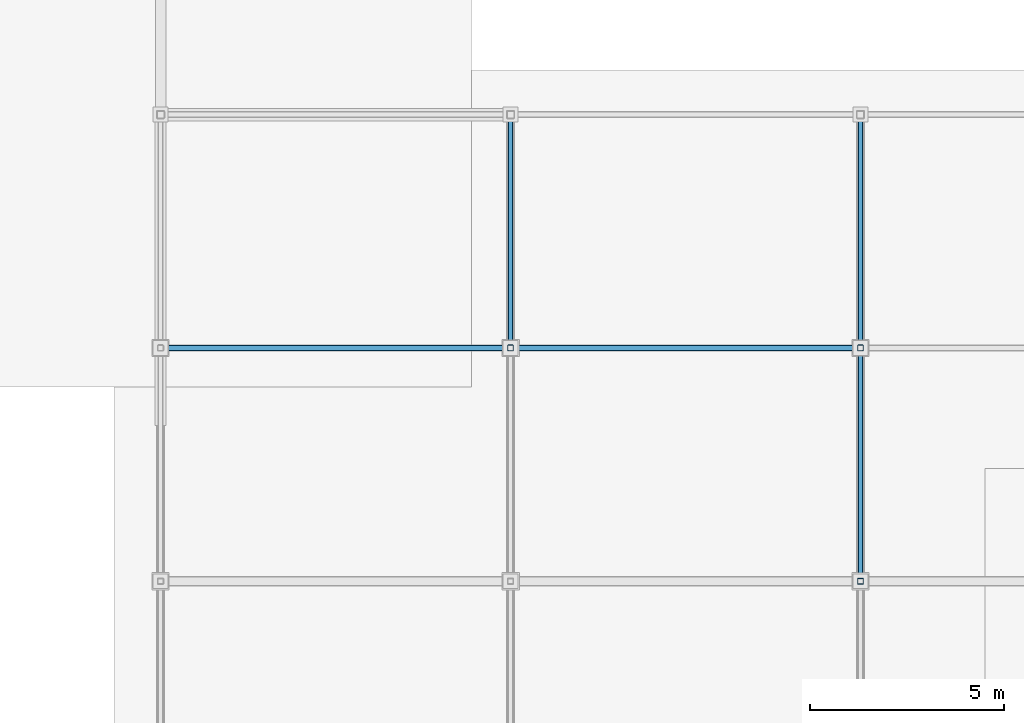
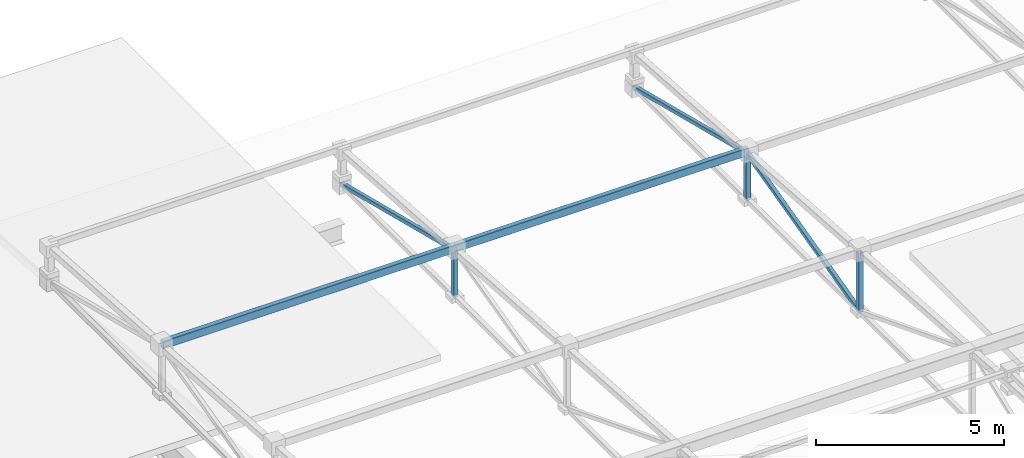
# One storey, part 42 of 85: 8 members.
"""IFC4 building model written with IfcOpenShell, lengths in metres."""

import ifcopenshell
import ifcopenshell.guid

model = None  # the IFC model being written
_history = None  # IfcOwnerHistory: only IFC2X3 demands one
_inside = {}  # id of a spatial element -> (the spatial element, [elements in it])
_under = {}  # id of a project, library or spatial element -> (it, [spatial elements below it])
_declared = {}  # id of a project -> (the project, [libraries it declares])
_typed = {}  # id of a type object -> (the type object, [elements of that type])
_made_of = {}  # id of a material, layer set ... -> (it, [elements and type objects made of it])


def new_model(schema):
    """Start an empty IFC model of exactly this schema.

    Asked for "IFC4X3", IfcOpenShell would pick the latest addendum, in which some entities
    have other attributes; the version numbers below select the first issue.
    IFC2X3 requires an IfcOwnerHistory on every rooted entity: one is made here for all.
    """
    global model, _history
    if schema == "IFC4X3":
        model = ifcopenshell.file(schema_version=(4, 3, 0, 0))
    else:
        model = ifcopenshell.file(schema=schema)
    _inside.clear()
    _under.clear()
    _declared.clear()
    _typed.clear()
    _made_of.clear()
    _history = None
    if model.schema == "IFC2X3":
        org = make("IfcOrganization", Name="unknown")
        user = make(
            "IfcPersonAndOrganization",
            ThePerson=make("IfcPerson", FamilyName="unknown"),
            TheOrganization=org,
        )
        app = make(
            "IfcApplication",
            ApplicationDeveloper=org,
            Version="unknown",
            ApplicationFullName="unknown",
            ApplicationIdentifier="unknown",
        )
        _history = make(
            "IfcOwnerHistory",
            OwningUser=user,
            OwningApplication=app,
            ChangeAction="ADDED",
            CreationDate=0,
        )
    return model


def make(cls, **values):
    """One entity of the class cls with the attributes given. An attribute that is None is left unset."""
    return model.create_entity(
        cls, **{name: value for name, value in values.items() if value is not None}
    )


def rooted(cls, **values):
    """An entity with a GlobalId (a new one), such as an element, a storey or a relation."""
    return make(cls, GlobalId=ifcopenshell.guid.new(), OwnerHistory=_history, **values)


def si_unit(unit_type, name, prefix=None):
    """IfcSIUnit, for example si_unit("LENGTHUNIT", "METRE", prefix="MILLI")."""
    return make("IfcSIUnit", UnitType=unit_type, Prefix=prefix, Name=name)


def assignment(units):
    """IfcUnitAssignment: the units of a project."""
    return None if units is None else make("IfcUnitAssignment", Units=units)


def point(xyz):
    """IfcCartesianPoint."""
    return None if xyz is None else make("IfcCartesianPoint", Coordinates=xyz)


def direction(xyz):
    """IfcDirection."""
    return None if xyz is None else make("IfcDirection", DirectionRatios=xyz)


def frame(location, z_axis=None, x_axis=None):
    """IfcAxis2Placement3D, a coordinate frame: its origin and axes. An axis left out is left unset."""
    return make(
        "IfcAxis2Placement3D",
        Location=point(location),
        Axis=direction(z_axis),
        RefDirection=direction(x_axis),
    )


def frame_2d(location, x_axis=None):
    """IfcAxis2Placement2D, a coordinate frame in the plane: its origin and x axis."""
    return make(
        "IfcAxis2Placement2D", Location=point(location), RefDirection=direction(x_axis)
    )


def origin():
    """The frame at (0, 0, 0) with its axes left unset."""
    return frame((0.0, 0.0, 0.0))


def origin_2d():
    """The frame at (0, 0) in the plane with its x axis left unset."""
    return frame_2d((0.0, 0.0))


def place(relative_to, where):
    """IfcLocalPlacement: puts the frame where relative to a parent placement (None: the world)."""
    return make(
        "IfcLocalPlacement", PlacementRelTo=relative_to, RelativePlacement=where
    )


def context(
    kind, dimensions, precision=None, world=None, true_north=None, identifier=None
):
    """IfcGeometricRepresentationContext, for example the 3D "Model" context."""
    return make(
        "IfcGeometricRepresentationContext",
        ContextIdentifier=identifier,
        ContextType=kind,
        CoordinateSpaceDimension=dimensions,
        Precision=precision,
        WorldCoordinateSystem=world,
        TrueNorth=true_north,
    )


def subcontext(parent, identifier, kind, view, scale=None):
    """IfcGeometricRepresentationSubContext, for example "Body" below "Model"."""
    return make(
        "IfcGeometricRepresentationSubContext",
        ContextIdentifier=identifier,
        ContextType=kind,
        ParentContext=parent,
        TargetScale=scale,
        TargetView=view,
    )


def project(units=None, contexts=None):
    """IfcProject with its units and contexts."""
    return rooted(
        "IfcProject",
        Name="project",
        RepresentationContexts=contexts,
        UnitsInContext=assignment(units),
    )


def spatial(cls, under=None, at=None, **own):
    """A site, building, storey or space (cls), placed at a placement, below another one or the project."""
    s = rooted(cls, ObjectPlacement=at, **own)
    if under is not None:
        _under.setdefault(under.id(), (under, []))[1].append(s)
    return s


def profile(cls, at=None, kind="AREA", **sizes):
    """A parametric profile (cls). Its sizes go by their IFC names, for example OverallWidth=200.0."""
    return make(cls, ProfileType=kind, Position=at, **sizes)


def hollow_rectangle(**sizes):
    """IfcRectangleHollowProfileDef."""
    return profile("IfcRectangleHollowProfileDef", **sizes)


def extrude(swept, where, along, depth):
    """IfcExtrudedAreaSolid: the profile swept, set in the frame where, extruded along a direction by depth."""
    return make(
        "IfcExtrudedAreaSolid",
        SweptArea=swept,
        Position=where,
        ExtrudedDirection=direction(along),
        Depth=depth,
    )


def shape(context_of_items, identifier, shape_type, items):
    """IfcShapeRepresentation: the items that make up one representation, for example the "Body"."""
    return make(
        "IfcShapeRepresentation",
        ContextOfItems=context_of_items,
        RepresentationIdentifier=identifier,
        RepresentationType=shape_type,
        Items=items,
    )


def material(Name=None, Category=None):
    """IfcMaterial."""
    return make("IfcMaterial", Name=Name, Category=Category)


def material_profile(
    of_material, cross_section, Name=None, Category=None, Priority=None
):
    """IfcMaterialProfile: a cross section and its material."""
    return make(
        "IfcMaterialProfile",
        Name=Name,
        Material=of_material,
        Profile=cross_section,
        Priority=Priority,
        Category=Category,
    )


def profile_set(profiles, Name=None, composite=None):
    """IfcMaterialProfileSet."""
    return make(
        "IfcMaterialProfileSet",
        Name=Name,
        MaterialProfiles=profiles,
        CompositeProfile=composite,
    )


def made_of(thing, what):
    """Note that an element or type object is made of a material, layer set ...; save() writes the relation."""
    if what is not None:
        _made_of.setdefault(what.id(), (what, []))[1].append(thing)
    return thing


def type_object(cls, material=None, **own):
    """A type object (cls), such as IfcWallType, which elements share."""
    return made_of(rooted(cls, **own), material)


def element(
    cls,
    number,
    at=None,
    inside=None,
    cuts=None,
    type_object=None,
    material=None,
    context=None,
    identifier="Body",
    shape_type=None,
    held_by="IfcProductDefinitionShape",
    body=None,
    shapes=None,
    **own,
):
    """One element of the class cls, such as IfcWall. Its Tag is "e" and its number.

    at: its placement. inside: the storey or other place that contains it. cuts: it is an
    opening in that element (IfcRelVoidsElement). A single representation is given by context,
    identifier, shape_type and body (its items); several are given by shapes. held_by: the class
    of the entity that holds the representations. save() writes the other relations.
    """
    e = rooted(cls, Tag="e%d" % number, ObjectPlacement=at, **own)
    if body is not None:
        shapes = [shape(context, identifier, shape_type, body)]
    if shapes is not None:
        e.Representation = make(held_by, Representations=shapes)
    if inside is not None:
        _inside.setdefault(inside.id(), (inside, []))[1].append(e)
    if cuts is not None:
        rooted(
            "IfcRelVoidsElement", RelatingBuildingElement=cuts, RelatedOpeningElement=e
        )
    if type_object is not None:
        _typed.setdefault(type_object.id(), (type_object, []))[1].append(e)
    return made_of(e, material)


def aggregate(whole, parts):
    """IfcRelAggregates: a whole, such as a stair, and the parts it consists of."""
    return rooted("IfcRelAggregates", RelatingObject=whole, RelatedObjects=parts)


def save(model, path):
    """Write the relations noted so far, then the file.

    IfcRelAggregates (storeys below a building ...), IfcRelContainedInSpatialStructure (elements
    in a storey), IfcRelDefinesByType, IfcRelAssociatesMaterial and IfcRelDeclares: one each for
    every whole, place, type object, material and project.
    """
    for whole, parts in _under.values():
        aggregate(whole, parts)
    for where, things in _inside.values():
        rooted(
            "IfcRelContainedInSpatialStructure",
            RelatedElements=things,
            RelatingStructure=where,
        )
    for kind, things in _typed.values():
        rooted("IfcRelDefinesByType", RelatedObjects=things, RelatingType=kind)
    for what, things in _made_of.values():
        rooted("IfcRelAssociatesMaterial", RelatedObjects=things, RelatingMaterial=what)
    for by, libraries in _declared.values():
        rooted("IfcRelDeclares", RelatingContext=by, RelatedDefinitions=libraries)
    model.write(path)


model = new_model("IFC4")

# Units and contexts
model_context = context("Model", 3, precision=1e-05, world=origin(), true_north=direction((0.0, 1.0)))
body_context = subcontext(model_context, "Body", "Model", "MODEL_VIEW")
ifc_project = project(units=[si_unit("LENGTHUNIT", "METRE"), si_unit("AREAUNIT", "SQUARE_METRE"), si_unit("VOLUMEUNIT", "CUBIC_METRE"), si_unit("PLANEANGLEUNIT", "RADIAN"), si_unit("MASSUNIT", "GRAM", prefix="KILO"), si_unit("THERMODYNAMICTEMPERATUREUNIT", "KELVIN"), si_unit("POWERUNIT", "WATT")], contexts=[model_context])

# Site, building, storey
site_placement = place(None, origin())
site = spatial("IfcSite", under=ifc_project, at=site_placement, CompositionType="ELEMENT")
building_placement = place(site_placement, origin())
building = spatial("IfcBuilding", under=site, at=building_placement, Name="Zelmaris Science Centre", CompositionType="ELEMENT")
storey_placement = place(building_placement, frame((0.0, 0.0, 20.39990234375)))
storey = spatial("IfcBuildingStorey", under=building, at=storey_placement, Name="L04", CompositionType="ELEMENT", Elevation=20.39990234375)

# Members
ifc_material = material(Name="Steel ASTM A500 Grade C", Category="steel")
ifc_material_profile_1 = material_profile(ifc_material, hollow_rectangle(XDim=0.15234375, YDim=0.25390625, WallThickness=0.0087890625, InnerFilletRadius=0.0087890625, OuterFilletRadius=0.017822265625, at=origin_2d()), Name="HSS254X152X10")
ifc_profile_set_1 = profile_set([ifc_material_profile_1], Name="Steel ASTM A500 Grade C")
member_type_1 = type_object("IfcMemberType", Name="Roof Purlin PR-01 HSS254X152X10", PredefinedType="PURLIN", material=ifc_profile_set_1)
for number, where, z_axis, x_axis, name in (
    (1, (108.0, 50.0, 2.530029296875), (1.0, 0.0, 0.0), (0.0, 1.0, 0.0), "RF-V4 Roof purlin 7"),
    (2, (117.0, 50.0, 2.530029296875), (1.0, 0.0, 0.0), (0.0, 1.0, 0.0), "RF-V4 Roof purlin 15"),
):
    element("IfcMember", number, at=place(storey_placement, frame(where, z_axis=z_axis, x_axis=x_axis)), inside=storey, type_object=member_type_1, Name=name, PredefinedType="PURLIN", context=body_context, shape_type="SweptSolid", body=[
        extrude(hollow_rectangle(XDim=0.15234375, YDim=0.25390625, WallThickness=0.0087890625, InnerFilletRadius=0.0087890625, OuterFilletRadius=0.017822265625, at=origin_2d()), origin(), (0.0, 0.0, 1.0), 9.0),
    ])
ifc_material_profile_2 = material_profile(ifc_material, hollow_rectangle(XDim=0.15234375, YDim=0.15234375, WallThickness=0.0087890625, InnerFilletRadius=0.0087890625, OuterFilletRadius=0.017822265625, at=origin_2d()), Name="HSS152X152X10")
ifc_profile_set_2 = profile_set([ifc_material_profile_2], Name="Steel ASTM A500 Grade C")
member_type_2 = type_object("IfcMemberType", Name="Structural Brace BR-03 HSS152X152X10", PredefinedType="BRACE", material=ifc_profile_set_2)
member_1_placement = place(storey_placement, frame((117.0, 50.0, 0.947998046875), z_axis=(0.0, 0.0, 1.0), x_axis=(1.0, 0.0, 0.0)))
element("IfcMember", 3, at=member_1_placement, inside=storey, type_object=member_type_2, Name="RF-V4 Roof truss 2 vertical web 7", PredefinedType="BRACE", context=body_context, shape_type="SweptSolid", body=[
    extrude(hollow_rectangle(XDim=0.15234375, YDim=0.15234375, WallThickness=0.0087890625, InnerFilletRadius=0.0087890625, OuterFilletRadius=0.017822265625, at=origin_2d()), origin(), (0.0, 0.0, 1.0), 1.512451171875),
])
member_2_placement = place(storey_placement, frame((126.0, 44.0, 0.947998046875), z_axis=(0.0, 0.0, 1.0), x_axis=(1.0, 0.0, 0.0)))
element("IfcMember", 4, at=member_2_placement, inside=storey, type_object=member_type_2, Name="RF-V4 Roof truss 3 vertical web 6", PredefinedType="BRACE", context=body_context, shape_type="SweptSolid", body=[
    extrude(hollow_rectangle(XDim=0.15234375, YDim=0.15234375, WallThickness=0.0087890625, InnerFilletRadius=0.0087890625, OuterFilletRadius=0.017822265625, at=origin_2d()), origin(), (0.0, 0.0, 1.0), 1.9248046875),
])
member_3_placement = place(storey_placement, frame((126.0, 50.0, 0.947998046875), z_axis=(0.0, 0.0, 1.0), x_axis=(1.0, 0.0, 0.0)))
element("IfcMember", 5, at=member_3_placement, inside=storey, type_object=member_type_2, Name="RF-V4 Roof truss 3 vertical web 7", PredefinedType="BRACE", context=body_context, shape_type="SweptSolid", body=[
    extrude(hollow_rectangle(XDim=0.15234375, YDim=0.15234375, WallThickness=0.0087890625, InnerFilletRadius=0.0087890625, OuterFilletRadius=0.017822265625, at=origin_2d()), origin(), (0.0, 0.0, 1.0), 1.512451171875),
])
ifc_material_profile_3 = material_profile(ifc_material, hollow_rectangle(XDim=0.126953125, YDim=0.126953125, WallThickness=0.00732421875, InnerFilletRadius=0.00732421875, OuterFilletRadius=0.014892578125, at=origin_2d()), Name="HSS127X127X8")
ifc_profile_set_3 = profile_set([ifc_material_profile_3], Name="Steel ASTM A500 Grade C")
member_type_3 = type_object("IfcMemberType", Name="Structural Brace BR-04 HSS127X127X8", PredefinedType="BRACE", material=ifc_profile_set_3)
for number, where, z_axis, x_axis, name in (
    (6, (117.0, 50.0, 2.46044921875), (0.0, 0.969667181253, -0.244429044102), (-1.0, 0.0, 0.0), "RF-V4 Roof truss 2 web diagonal 8"),
    (7, (126.0, 44.0, 0.947998046875), (0.0, 0.969667181253, 0.244429044102), (-1.0, 0.0, 0.0), "RF-V4 Roof truss 3 web diagonal 7"),
    (8, (126.0, 50.0, 2.46044921875), (0.0, 0.969667181253, -0.244429044102), (-1.0, 0.0, 0.0), "RF-V4 Roof truss 3 web diagonal 8"),
):
    element("IfcMember", number, at=place(storey_placement, frame(where, z_axis=z_axis, x_axis=x_axis)), inside=storey, type_object=member_type_3, Name=name, PredefinedType="BRACE", context=body_context, shape_type="SweptSolid", body=[
        extrude(hollow_rectangle(XDim=0.126953125, YDim=0.126953125, WallThickness=0.00732421875, InnerFilletRadius=0.00732421875, OuterFilletRadius=0.014892578125, at=origin_2d()), origin(), (0.0, 0.0, 1.0), 6.187744140625),
    ])

save(model, "model.ifc")
